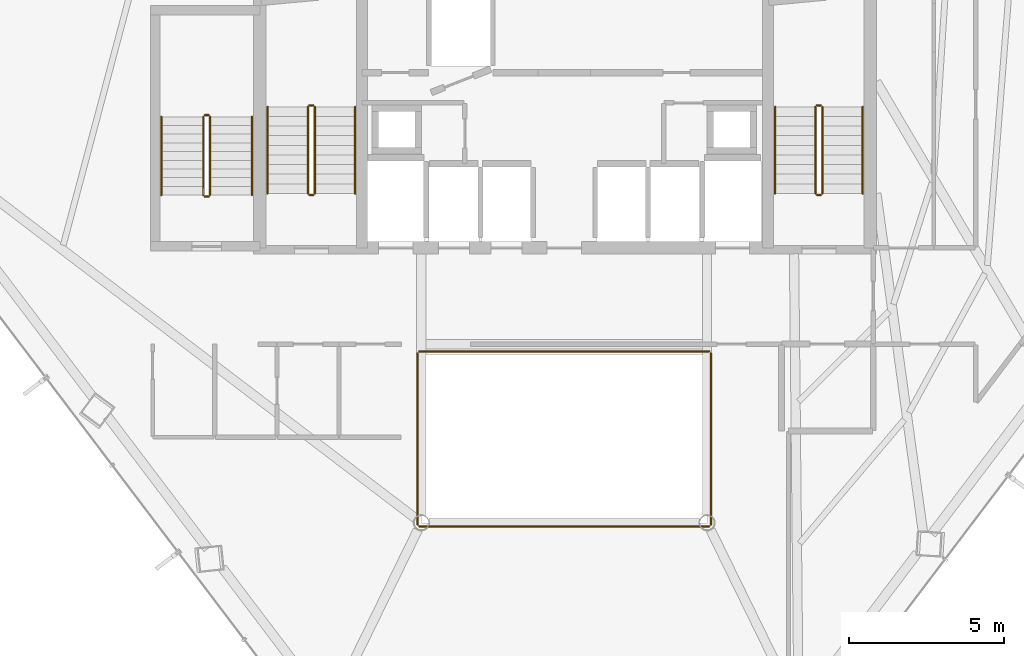
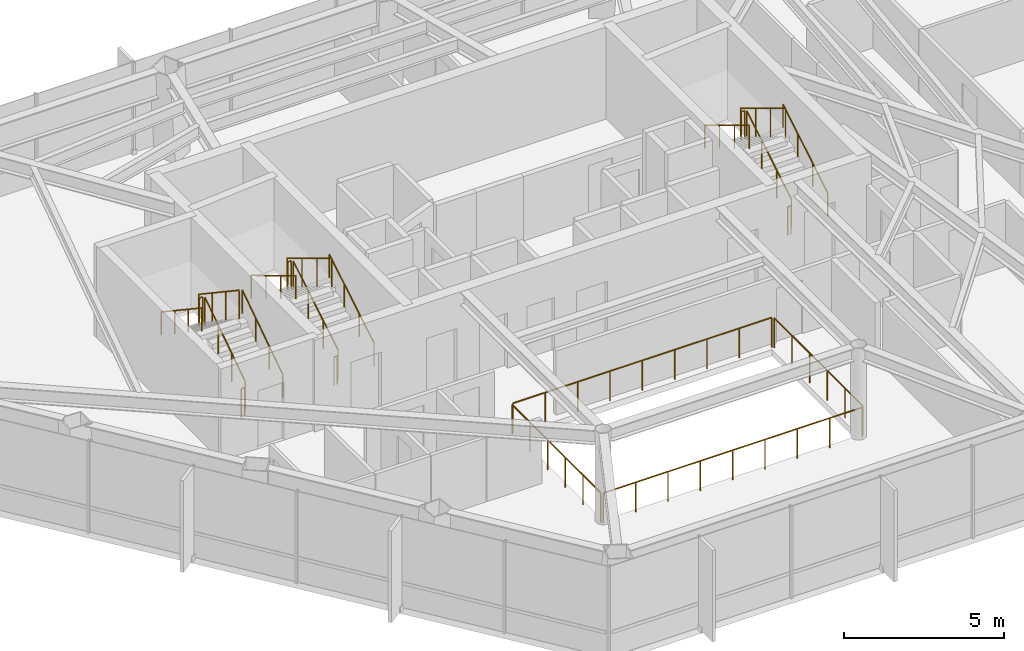
# One storey, part 28 of 28: 22 railings.
"""IFC4 building model written with IfcOpenShell, lengths in metres."""

from ifc_helpers import new_model, si_unit, direction, frame, origin, origin_2d, place, context, subcontext, project, spatial, circle, extrude, material, type_object, element, save


model = new_model("IFC4")

# Units and contexts
model_context = context("Model", 3, precision=1e-05, world=origin(), true_north=direction((0.0, 1.0)))
body_context = subcontext(model_context, "Body", "Model", "MODEL_VIEW")
ifc_project = project(units=[si_unit("LENGTHUNIT", "METRE"), si_unit("AREAUNIT", "SQUARE_METRE"), si_unit("VOLUMEUNIT", "CUBIC_METRE"), si_unit("PLANEANGLEUNIT", "RADIAN"), si_unit("MASSUNIT", "GRAM", prefix="KILO")], contexts=[model_context])

# Site, building, storey
site_placement = place(None, origin())
site = spatial("IfcSite", under=ifc_project, at=site_placement, CompositionType="ELEMENT")
building_placement = place(site_placement, origin())
building = spatial("IfcBuilding", under=site, at=building_placement, Name="Zarrinselat Tower", CompositionType="ELEMENT")
storey_placement = place(building_placement, frame((0.0, 0.0, 153.340087890625)))
storey = spatial("IfcBuildingStorey", under=building, at=storey_placement, Name="L37", CompositionType="ELEMENT", Elevation=153.340087890625)

# Railings
ifc_material_1 = material(Name="Double Low-E Laminated Solar Glass", Category="glass")
railing_type_1 = type_object("IfcRailingType", Name="RLG-ATRIUM-BAL", PredefinedType="BALUSTRADE", material=ifc_material_1)
railing_1_placement = place(storey_placement, frame((33.739990234375, 24.280029296875, 0.0)))
element("IfcRailing", 1, at=railing_1_placement, inside=storey, type_object=railing_type_1, Name="L37 Atrium Void Glass Balustrade S", PredefinedType="BALUSTRADE", context=body_context, shape_type="SweptSolid", body=[
    extrude(circle(Radius=0.02392578125, at=origin_2d()), frame((0.0, 0.0, 1.1259765625), z_axis=(1.0, 0.0, 0.0), x_axis=(0.0, 1.0, 0.0)), (0.0, 0.0, 1.0), 9.320068359375),
    extrude(circle(Radius=0.02099609375, at=origin_2d()), origin(), (0.0, 0.0, 1.0), 1.099853515625),
    extrude(circle(Radius=0.02099609375, at=origin_2d()), frame((1.1650390625, 0.0, 0.0)), (0.0, 0.0, 1.0), 1.099853515625),
    extrude(circle(Radius=0.02099609375, at=origin_2d()), frame((2.330078125, 0.0, 0.0)), (0.0, 0.0, 1.0), 1.099853515625),
    extrude(circle(Radius=0.02099609375, at=origin_2d()), frame((3.4951171875, 0.0, 0.0)), (0.0, 0.0, 1.0), 1.099853515625),
    extrude(circle(Radius=0.02099609375, at=origin_2d()), frame((4.66015625, 0.0, 0.0)), (0.0, 0.0, 1.0), 1.099853515625),
    extrude(circle(Radius=0.02099609375, at=origin_2d()), frame((5.824951171875, 0.0, 0.0)), (0.0, 0.0, 1.0), 1.099853515625),
    extrude(circle(Radius=0.02099609375, at=origin_2d()), frame((6.989990234375, 0.0, 0.0)), (0.0, 0.0, 1.0), 1.099853515625),
    extrude(circle(Radius=0.02099609375, at=origin_2d()), frame((8.155029296875, 0.0, 0.0)), (0.0, 0.0, 1.0), 1.099853515625),
    extrude(circle(Radius=0.02099609375, at=origin_2d()), frame((9.320068359375, 0.0, 0.0)), (0.0, 0.0, 1.0), 1.099853515625),
])
railing_2_placement = place(storey_placement, frame((43.1201171875, 24.340087890625, 0.0)))
element("IfcRailing", 2, at=railing_2_placement, inside=storey, type_object=railing_type_1, Name="L37 Atrium Void Glass Balustrade E", PredefinedType="BALUSTRADE", context=body_context, shape_type="SweptSolid", body=[
    extrude(circle(Radius=0.02392578125, at=origin_2d()), frame((0.0, 0.0, 1.1259765625), z_axis=(0.0, 1.0, 0.0), x_axis=(-1.0, 0.0, 0.0)), (0.0, 0.0, 1.0), 5.52001953125),
    extrude(circle(Radius=0.02099609375, at=origin_2d()), origin(), (0.0, 0.0, 1.0), 1.099853515625),
    extrude(circle(Radius=0.02099609375, at=origin_2d()), frame((0.0, 1.10400390625, 0.0)), (0.0, 0.0, 1.0), 1.099853515625),
    extrude(circle(Radius=0.02099609375, at=origin_2d()), frame((0.0, 2.2080078125, 0.0)), (0.0, 0.0, 1.0), 1.099853515625),
    extrude(circle(Radius=0.02099609375, at=origin_2d()), frame((0.0, 3.31201171875, 0.0)), (0.0, 0.0, 1.0), 1.099853515625),
    extrude(circle(Radius=0.02099609375, at=origin_2d()), frame((0.0, 4.416015625, 0.0)), (0.0, 0.0, 1.0), 1.099853515625),
    extrude(circle(Radius=0.02099609375, at=origin_2d()), frame((0.0, 5.52001953125, 0.0)), (0.0, 0.0, 1.0), 1.099853515625),
])
railing_3_placement = place(storey_placement, frame((43.06005859375, 29.919921875, 0.0)))
element("IfcRailing", 3, at=railing_3_placement, inside=storey, type_object=railing_type_1, Name="L37 Atrium Void Glass Balustrade N", PredefinedType="BALUSTRADE", context=body_context, shape_type="SweptSolid", body=[
    extrude(circle(Radius=0.02392578125, at=origin_2d()), frame((0.0, 0.0, 1.1259765625), z_axis=(-1.0, 0.0, 0.0), x_axis=(0.0, -1.0, 0.0)), (0.0, 0.0, 1.0), 9.320068359375),
    extrude(circle(Radius=0.02099609375, at=origin_2d()), origin(), (0.0, 0.0, 1.0), 1.099853515625),
    extrude(circle(Radius=0.02099609375, at=origin_2d()), frame((-1.1650390625, 0.0, 0.0)), (0.0, 0.0, 1.0), 1.099853515625),
    extrude(circle(Radius=0.02099609375, at=origin_2d()), frame((-2.330078125, 0.0, 0.0)), (0.0, 0.0, 1.0), 1.099853515625),
    extrude(circle(Radius=0.02099609375, at=origin_2d()), frame((-3.4951171875, 0.0, 0.0)), (0.0, 0.0, 1.0), 1.099853515625),
    extrude(circle(Radius=0.02099609375, at=origin_2d()), frame((-4.66015625, 0.0, 0.0)), (0.0, 0.0, 1.0), 1.099853515625),
    extrude(circle(Radius=0.02099609375, at=origin_2d()), frame((-5.824951171875, 0.0, 0.0)), (0.0, 0.0, 1.0), 1.099853515625),
    extrude(circle(Radius=0.02099609375, at=origin_2d()), frame((-6.989990234375, 0.0, 0.0)), (0.0, 0.0, 1.0), 1.099853515625),
    extrude(circle(Radius=0.02099609375, at=origin_2d()), frame((-8.155029296875, 0.0, 0.0)), (0.0, 0.0, 1.0), 1.099853515625),
    extrude(circle(Radius=0.02099609375, at=origin_2d()), frame((-9.320068359375, 0.0, 0.0)), (0.0, 0.0, 1.0), 1.099853515625),
])
railing_4_placement = place(storey_placement, frame((33.679931640625, 29.860107421875, 0.0)))
element("IfcRailing", 4, at=railing_4_placement, inside=storey, type_object=railing_type_1, Name="L37 Atrium Void Glass Balustrade W", PredefinedType="BALUSTRADE", context=body_context, shape_type="SweptSolid", body=[
    extrude(circle(Radius=0.02392578125, at=origin_2d()), frame((0.0, 0.0, 1.1259765625), z_axis=(0.0, -1.0, 0.0), x_axis=(1.0, 0.0, 0.0)), (0.0, 0.0, 1.0), 5.52001953125),
    extrude(circle(Radius=0.02099609375, at=origin_2d()), origin(), (0.0, 0.0, 1.0), 1.099853515625),
    extrude(circle(Radius=0.02099609375, at=origin_2d()), frame((0.0, -1.10400390625, 0.0)), (0.0, 0.0, 1.0), 1.099853515625),
    extrude(circle(Radius=0.02099609375, at=origin_2d()), frame((0.0, -2.2080078125, 0.0)), (0.0, 0.0, 1.0), 1.099853515625),
    extrude(circle(Radius=0.02099609375, at=origin_2d()), frame((0.0, -3.31201171875, 0.0)), (0.0, 0.0, 1.0), 1.099853515625),
    extrude(circle(Radius=0.02099609375, at=origin_2d()), frame((0.0, -4.416015625, 0.0)), (0.0, 0.0, 1.0), 1.099853515625),
    extrude(circle(Radius=0.02099609375, at=origin_2d()), frame((0.0, -5.52001953125, 0.0)), (0.0, 0.0, 1.0), 1.099853515625),
])
ifc_material_2 = material(Name="Steel S355J2", Category="steel")
railing_type_2 = type_object("IfcRailingType", Name="RLG-STAIR-GUARD", PredefinedType="GUARDRAIL", material=ifc_material_2)
railing_5_placement = place(storey_placement, frame((30.3701171875, 35.0, 0.18701171875)))
element("IfcRailing", 5, at=railing_5_placement, inside=storey, type_object=railing_type_2, Name="L37 ST-1 stair guard 1", PredefinedType="GUARDRAIL", context=body_context, shape_type="SweptSolid", body=[
    extrude(circle(Radius=0.02392578125, at=origin_2d()), frame((0.0, 0.0, 1.076171875), z_axis=(0.0, 0.856293938615, 0.516488809842), x_axis=(-1.0, 0.0, 0.0)), (0.0, 0.0, 1.0), 3.25830078125),
    extrude(circle(Radius=0.02099609375, at=origin_2d()), origin(), (0.0, 0.0, 1.0), 1.050048828125),
    extrude(circle(Radius=0.02099609375, at=origin_2d()), frame((0.0, 0.929931640625, 0.56103515625)), (0.0, 0.0, 1.0), 1.050048828125),
    extrude(circle(Radius=0.02099609375, at=origin_2d()), frame((0.0, 1.860107421875, 1.121826171875)), (0.0, 0.0, 1.0), 1.050048828125),
    extrude(circle(Radius=0.02099609375, at=origin_2d()), frame((0.0, 2.7900390625, 1.682861328125)), (0.0, 0.0, 1.0), 1.050048828125),
])
railing_6_placement = place(storey_placement, frame((30.320068359375, 37.840087890625, 1.869873046875)))
element("IfcRailing", 6, at=railing_6_placement, inside=storey, type_object=railing_type_2, Name="L37 ST-1 stair guard 2", PredefinedType="GUARDRAIL", context=body_context, shape_type="SweptSolid", body=[
    extrude(circle(Radius=0.02392578125, at=origin_2d()), frame((0.0, 0.0, 1.076171875), z_axis=(-1.0, 0.0, 0.0), x_axis=(0.0, -1.0, 0.0)), (0.0, 0.0, 1.0), 0.1201171875),
    extrude(circle(Radius=0.02099609375, at=origin_2d()), origin(), (0.0, 0.0, 1.0), 1.050048828125),
    extrude(circle(Radius=0.02099609375, at=origin_2d()), frame((-0.1201171875, 0.0, 0.0)), (0.0, 0.0, 1.0), 1.050048828125),
])
railing_7_placement = place(storey_placement, frame((30.14990234375, 37.7900390625, 2.056884765625)))
element("IfcRailing", 7, at=railing_7_placement, inside=storey, type_object=railing_type_2, Name="L37 ST-1 stair guard 3", PredefinedType="GUARDRAIL", context=body_context, shape_type="SweptSolid", body=[
    extrude(circle(Radius=0.02392578125, at=origin_2d()), frame((0.0, 0.0, 1.076171875), z_axis=(0.0, -0.856260799362, 0.516543747882), x_axis=(1.0, 0.0, 0.0)), (0.0, 0.0, 1.0), 3.25830078125),
    extrude(circle(Radius=0.02099609375, at=origin_2d()), origin(), (0.0, 0.0, 1.0), 1.050048828125),
    extrude(circle(Radius=0.02099609375, at=origin_2d()), frame((0.0, -0.929931640625, 0.56103515625)), (0.0, 0.0, 1.0), 1.050048828125),
    extrude(circle(Radius=0.02099609375, at=origin_2d()), frame((0.0, -1.860107421875, 1.1220703125)), (0.0, 0.0, 1.0), 1.050048828125),
    extrude(circle(Radius=0.02099609375, at=origin_2d()), frame((0.0, -2.7900390625, 1.68310546875)), (0.0, 0.0, 1.0), 1.050048828125),
])
railing_8_placement = place(storey_placement, frame((30.320068359375, 34.949951171875, 0.0)))
element("IfcRailing", 8, at=railing_8_placement, inside=storey, type_object=railing_type_2, Name="L37 ST-1 stair guard 4", PredefinedType="GUARDRAIL", context=body_context, shape_type="SweptSolid", body=[
    extrude(circle(Radius=0.02392578125, at=origin_2d()), frame((0.0, 0.0, 1.076171875), z_axis=(-1.0, 0.0, 0.0), x_axis=(0.0, -1.0, 0.0)), (0.0, 0.0, 1.0), 0.1201171875),
    extrude(circle(Radius=0.02099609375, at=origin_2d()), origin(), (0.0, 0.0, 1.0), 1.050048828125),
    extrude(circle(Radius=0.02099609375, at=origin_2d()), frame((-0.1201171875, 0.0, 0.0)), (0.0, 0.0, 1.0), 1.050048828125),
])
railing_9_placement = place(storey_placement, frame((46.7099609375, 35.0, 0.18701171875)))
element("IfcRailing", 9, at=railing_9_placement, inside=storey, type_object=railing_type_2, Name="L37 ST-2 stair guard 1", PredefinedType="GUARDRAIL", context=body_context, shape_type="SweptSolid", body=[
    extrude(circle(Radius=0.02392578125, at=origin_2d()), frame((0.0, 0.0, 1.076171875), z_axis=(0.0, 0.856293938615, 0.516488809842), x_axis=(-1.0, 0.0, 0.0)), (0.0, 0.0, 1.0), 3.25830078125),
    extrude(circle(Radius=0.02099609375, at=origin_2d()), origin(), (0.0, 0.0, 1.0), 1.050048828125),
    extrude(circle(Radius=0.02099609375, at=origin_2d()), frame((0.0, 0.929931640625, 0.56103515625)), (0.0, 0.0, 1.0), 1.050048828125),
    extrude(circle(Radius=0.02099609375, at=origin_2d()), frame((0.0, 1.860107421875, 1.121826171875)), (0.0, 0.0, 1.0), 1.050048828125),
    extrude(circle(Radius=0.02099609375, at=origin_2d()), frame((0.0, 2.7900390625, 1.682861328125)), (0.0, 0.0, 1.0), 1.050048828125),
])
railing_10_placement = place(storey_placement, frame((46.659912109375, 37.840087890625, 1.869873046875)))
element("IfcRailing", 10, at=railing_10_placement, inside=storey, type_object=railing_type_2, Name="L37 ST-2 stair guard 2", PredefinedType="GUARDRAIL", context=body_context, shape_type="SweptSolid", body=[
    extrude(circle(Radius=0.02392578125, at=origin_2d()), frame((0.0, 0.0, 1.076171875), z_axis=(-1.0, 0.0, 0.0), x_axis=(0.0, -1.0, 0.0)), (0.0, 0.0, 1.0), 0.119873046875),
    extrude(circle(Radius=0.02099609375, at=origin_2d()), origin(), (0.0, 0.0, 1.0), 1.050048828125),
    extrude(circle(Radius=0.02099609375, at=origin_2d()), frame((-0.119873046875, 0.0, 0.0)), (0.0, 0.0, 1.0), 1.050048828125),
])
railing_11_placement = place(storey_placement, frame((46.489990234375, 37.7900390625, 2.056884765625)))
element("IfcRailing", 11, at=railing_11_placement, inside=storey, type_object=railing_type_2, Name="L37 ST-2 stair guard 3", PredefinedType="GUARDRAIL", context=body_context, shape_type="SweptSolid", body=[
    extrude(circle(Radius=0.02392578125, at=origin_2d()), frame((0.0, 0.0, 1.076171875), z_axis=(0.0, -0.856260799362, 0.516543747882), x_axis=(1.0, 0.0, 0.0)), (0.0, 0.0, 1.0), 3.25830078125),
    extrude(circle(Radius=0.02099609375, at=origin_2d()), origin(), (0.0, 0.0, 1.0), 1.050048828125),
    extrude(circle(Radius=0.02099609375, at=origin_2d()), frame((0.0, -0.929931640625, 0.56103515625)), (0.0, 0.0, 1.0), 1.050048828125),
    extrude(circle(Radius=0.02099609375, at=origin_2d()), frame((0.0, -1.860107421875, 1.1220703125)), (0.0, 0.0, 1.0), 1.050048828125),
    extrude(circle(Radius=0.02099609375, at=origin_2d()), frame((0.0, -2.7900390625, 1.68310546875)), (0.0, 0.0, 1.0), 1.050048828125),
])
railing_12_placement = place(storey_placement, frame((46.659912109375, 34.949951171875, 0.0)))
element("IfcRailing", 12, at=railing_12_placement, inside=storey, type_object=railing_type_2, Name="L37 ST-2 stair guard 4", PredefinedType="GUARDRAIL", context=body_context, shape_type="SweptSolid", body=[
    extrude(circle(Radius=0.02392578125, at=origin_2d()), frame((0.0, 0.0, 1.076171875), z_axis=(-1.0, 0.0, 0.0), x_axis=(0.0, -1.0, 0.0)), (0.0, 0.0, 1.0), 0.119873046875),
    extrude(circle(Radius=0.02099609375, at=origin_2d()), origin(), (0.0, 0.0, 1.0), 1.050048828125),
    extrude(circle(Radius=0.02099609375, at=origin_2d()), frame((-0.119873046875, 0.0, 0.0)), (0.0, 0.0, 1.0), 1.050048828125),
])
railing_13_placement = place(storey_placement, frame((27.0, 34.949951171875, 0.18701171875)))
element("IfcRailing", 13, at=railing_13_placement, inside=storey, type_object=railing_type_2, Name="L37 ST-3 stair guard 1", PredefinedType="GUARDRAIL", context=body_context, shape_type="SweptSolid", body=[
    extrude(circle(Radius=0.02392578125, at=origin_2d()), frame((0.0, 0.0, 1.076171875), z_axis=(0.0, 0.831616215664, 0.555350762892), x_axis=(-1.0, 0.0, 0.0)), (0.0, 0.0, 1.0), 3.0302734375),
    extrude(circle(Radius=0.02099609375, at=origin_2d()), origin(), (0.0, 0.0, 1.0), 1.050048828125),
    extrude(circle(Radius=0.02099609375, at=origin_2d()), frame((0.0, 0.840087890625, 0.56103515625)), (0.0, 0.0, 1.0), 1.050048828125),
    extrude(circle(Radius=0.02099609375, at=origin_2d()), frame((0.0, 1.679931640625, 1.121826171875)), (0.0, 0.0, 1.0), 1.050048828125),
    extrude(circle(Radius=0.02099609375, at=origin_2d()), frame((0.0, 2.52001953125, 1.682861328125)), (0.0, 0.0, 1.0), 1.050048828125),
])
railing_14_placement = place(storey_placement, frame((26.949951171875, 37.52001953125, 1.869873046875)))
element("IfcRailing", 14, at=railing_14_placement, inside=storey, type_object=railing_type_2, Name="L37 ST-3 stair guard 2", PredefinedType="GUARDRAIL", context=body_context, shape_type="SweptSolid", body=[
    extrude(circle(Radius=0.02392578125, at=origin_2d()), frame((0.0, 0.0, 1.076171875), z_axis=(-1.0, 0.0, 0.0), x_axis=(0.0, -1.0, 0.0)), (0.0, 0.0, 1.0), 0.119873046875),
    extrude(circle(Radius=0.02099609375, at=origin_2d()), origin(), (0.0, 0.0, 1.0), 1.050048828125),
    extrude(circle(Radius=0.02099609375, at=origin_2d()), frame((-0.119873046875, 0.0, 0.0)), (0.0, 0.0, 1.0), 1.050048828125),
])
railing_15_placement = place(storey_placement, frame((26.780029296875, 37.469970703125, 2.056884765625)))
element("IfcRailing", 15, at=railing_15_placement, inside=storey, type_object=railing_type_2, Name="L37 ST-3 stair guard 3", PredefinedType="GUARDRAIL", context=body_context, shape_type="SweptSolid", body=[
    extrude(circle(Radius=0.02392578125, at=origin_2d()), frame((0.0, 0.0, 1.076171875), z_axis=(0.0, -0.831579006341, 0.555406478368), x_axis=(1.0, 0.0, 0.0)), (0.0, 0.0, 1.0), 3.030517578125),
    extrude(circle(Radius=0.02099609375, at=origin_2d()), origin(), (0.0, 0.0, 1.0), 1.050048828125),
    extrude(circle(Radius=0.02099609375, at=origin_2d()), frame((0.0, -0.840087890625, 0.56103515625)), (0.0, 0.0, 1.0), 1.050048828125),
    extrude(circle(Radius=0.02099609375, at=origin_2d()), frame((0.0, -1.679931640625, 1.1220703125)), (0.0, 0.0, 1.0), 1.050048828125),
    extrude(circle(Radius=0.02099609375, at=origin_2d()), frame((0.0, -2.52001953125, 1.68310546875)), (0.0, 0.0, 1.0), 1.050048828125),
])
railing_16_placement = place(storey_placement, frame((26.949951171875, 34.89990234375, 0.0)))
element("IfcRailing", 16, at=railing_16_placement, inside=storey, type_object=railing_type_2, Name="L37 ST-3 stair guard 4", PredefinedType="GUARDRAIL", context=body_context, shape_type="SweptSolid", body=[
    extrude(circle(Radius=0.02392578125, at=origin_2d()), frame((0.0, 0.0, 1.076171875), z_axis=(-1.0, 0.0, 0.0), x_axis=(0.0, -1.0, 0.0)), (0.0, 0.0, 1.0), 0.119873046875),
    extrude(circle(Radius=0.02099609375, at=origin_2d()), origin(), (0.0, 0.0, 1.0), 1.050048828125),
    extrude(circle(Radius=0.02099609375, at=origin_2d()), frame((-0.119873046875, 0.0, 0.0)), (0.0, 0.0, 1.0), 1.050048828125),
])
ifc_material_3 = material(Name="Steel S355J2", Category="steel")
railing_type_3 = type_object("IfcRailingType", Name="RLG-STAIR-HAND", PredefinedType="HANDRAIL", material=ifc_material_3)
railing_17_placement = place(storey_placement, frame((31.669921875, 35.0, 0.18701171875)))
element("IfcRailing", 17, at=railing_17_placement, inside=storey, type_object=railing_type_3, Name="L37 ST-1 stair handrail 1", PredefinedType="HANDRAIL", context=body_context, shape_type="SweptSolid", body=[
    extrude(circle(Radius=0.02392578125, at=origin_2d()), frame((0.0, 0.0, 0.8759765625), z_axis=(0.0, 0.856293938615, 0.516488809842), x_axis=(-1.0, 0.0, 0.0)), (0.0, 0.0, 1.0), 3.25830078125),
    extrude(circle(Radius=0.02099609375, at=origin_2d()), origin(), (0.0, 0.0, 1.0), 0.849853515625),
    extrude(circle(Radius=0.02099609375, at=origin_2d()), frame((0.0, 0.929931640625, 0.56103515625)), (0.0, 0.0, 1.0), 0.849853515625),
    extrude(circle(Radius=0.02099609375, at=origin_2d()), frame((0.0, 1.860107421875, 1.121826171875)), (0.0, 0.0, 1.0), 0.849853515625),
    extrude(circle(Radius=0.02099609375, at=origin_2d()), frame((0.0, 2.7900390625, 1.682861328125)), (0.0, 0.0, 1.0), 0.849853515625),
])
railing_18_placement = place(storey_placement, frame((28.85009765625, 37.7900390625, 2.056884765625)))
element("IfcRailing", 18, at=railing_18_placement, inside=storey, type_object=railing_type_3, Name="L37 ST-1 stair handrail 2", PredefinedType="HANDRAIL", context=body_context, shape_type="SweptSolid", body=[
    extrude(circle(Radius=0.02392578125, at=origin_2d()), frame((0.0, 0.0, 0.8759765625), z_axis=(0.0, -0.856260799362, 0.516543747882), x_axis=(1.0, 0.0, 0.0)), (0.0, 0.0, 1.0), 3.25830078125),
    extrude(circle(Radius=0.02099609375, at=origin_2d()), origin(), (0.0, 0.0, 1.0), 0.849853515625),
    extrude(circle(Radius=0.02099609375, at=origin_2d()), frame((0.0, -0.929931640625, 0.56103515625)), (0.0, 0.0, 1.0), 0.849853515625),
    extrude(circle(Radius=0.02099609375, at=origin_2d()), frame((0.0, -1.860107421875, 1.1220703125)), (0.0, 0.0, 1.0), 0.849853515625),
    extrude(circle(Radius=0.02099609375, at=origin_2d()), frame((0.0, -2.7900390625, 1.68310546875)), (0.0, 0.0, 1.0), 0.849853515625),
])
railing_19_placement = place(storey_placement, frame((48.010009765625, 35.0, 0.18701171875)))
element("IfcRailing", 19, at=railing_19_placement, inside=storey, type_object=railing_type_3, Name="L37 ST-2 stair handrail 1", PredefinedType="HANDRAIL", context=body_context, shape_type="SweptSolid", body=[
    extrude(circle(Radius=0.02392578125, at=origin_2d()), frame((0.0, 0.0, 0.8759765625), z_axis=(0.0, 0.856293938615, 0.516488809842), x_axis=(-1.0, 0.0, 0.0)), (0.0, 0.0, 1.0), 3.25830078125),
    extrude(circle(Radius=0.02099609375, at=origin_2d()), origin(), (0.0, 0.0, 1.0), 0.849853515625),
    extrude(circle(Radius=0.02099609375, at=origin_2d()), frame((0.0, 0.929931640625, 0.56103515625)), (0.0, 0.0, 1.0), 0.849853515625),
    extrude(circle(Radius=0.02099609375, at=origin_2d()), frame((0.0, 1.860107421875, 1.121826171875)), (0.0, 0.0, 1.0), 0.849853515625),
    extrude(circle(Radius=0.02099609375, at=origin_2d()), frame((0.0, 2.7900390625, 1.682861328125)), (0.0, 0.0, 1.0), 0.849853515625),
])
railing_20_placement = place(storey_placement, frame((45.18994140625, 37.7900390625, 2.056884765625)))
element("IfcRailing", 20, at=railing_20_placement, inside=storey, type_object=railing_type_3, Name="L37 ST-2 stair handrail 2", PredefinedType="HANDRAIL", context=body_context, shape_type="SweptSolid", body=[
    extrude(circle(Radius=0.02392578125, at=origin_2d()), frame((0.0, 0.0, 0.8759765625), z_axis=(0.0, -0.856260799362, 0.516543747882), x_axis=(1.0, 0.0, 0.0)), (0.0, 0.0, 1.0), 3.25830078125),
    extrude(circle(Radius=0.02099609375, at=origin_2d()), origin(), (0.0, 0.0, 1.0), 0.849853515625),
    extrude(circle(Radius=0.02099609375, at=origin_2d()), frame((0.0, -0.929931640625, 0.56103515625)), (0.0, 0.0, 1.0), 0.849853515625),
    extrude(circle(Radius=0.02099609375, at=origin_2d()), frame((0.0, -1.860107421875, 1.1220703125)), (0.0, 0.0, 1.0), 0.849853515625),
    extrude(circle(Radius=0.02099609375, at=origin_2d()), frame((0.0, -2.7900390625, 1.68310546875)), (0.0, 0.0, 1.0), 0.849853515625),
])
railing_21_placement = place(storey_placement, frame((28.35009765625, 34.949951171875, 0.18701171875)))
element("IfcRailing", 21, at=railing_21_placement, inside=storey, type_object=railing_type_3, Name="L37 ST-3 stair handrail 1", PredefinedType="HANDRAIL", context=body_context, shape_type="SweptSolid", body=[
    extrude(circle(Radius=0.02392578125, at=origin_2d()), frame((0.0, 0.0, 0.8759765625), z_axis=(0.0, 0.831616215664, 0.555350762892), x_axis=(-1.0, 0.0, 0.0)), (0.0, 0.0, 1.0), 3.0302734375),
    extrude(circle(Radius=0.02099609375, at=origin_2d()), origin(), (0.0, 0.0, 1.0), 0.849853515625),
    extrude(circle(Radius=0.02099609375, at=origin_2d()), frame((0.0, 0.840087890625, 0.56103515625)), (0.0, 0.0, 1.0), 0.849853515625),
    extrude(circle(Radius=0.02099609375, at=origin_2d()), frame((0.0, 1.679931640625, 1.121826171875)), (0.0, 0.0, 1.0), 0.849853515625),
    extrude(circle(Radius=0.02099609375, at=origin_2d()), frame((0.0, 2.52001953125, 1.682861328125)), (0.0, 0.0, 1.0), 0.849853515625),
])
railing_22_placement = place(storey_placement, frame((25.429931640625, 37.469970703125, 2.056884765625)))
element("IfcRailing", 22, at=railing_22_placement, inside=storey, type_object=railing_type_3, Name="L37 ST-3 stair handrail 2", PredefinedType="HANDRAIL", context=body_context, shape_type="SweptSolid", body=[
    extrude(circle(Radius=0.02392578125, at=origin_2d()), frame((0.0, 0.0, 0.8759765625), z_axis=(0.0, -0.831579006341, 0.555406478368), x_axis=(1.0, 0.0, 0.0)), (0.0, 0.0, 1.0), 3.030517578125),
    extrude(circle(Radius=0.02099609375, at=origin_2d()), origin(), (0.0, 0.0, 1.0), 0.849853515625),
    extrude(circle(Radius=0.02099609375, at=origin_2d()), frame((0.0, -0.840087890625, 0.56103515625)), (0.0, 0.0, 1.0), 0.849853515625),
    extrude(circle(Radius=0.02099609375, at=origin_2d()), frame((0.0, -1.679931640625, 1.1220703125)), (0.0, 0.0, 1.0), 0.849853515625),
    extrude(circle(Radius=0.02099609375, at=origin_2d()), frame((0.0, -2.52001953125, 1.68310546875)), (0.0, 0.0, 1.0), 0.849853515625),
])

save(model, "model.ifc")
